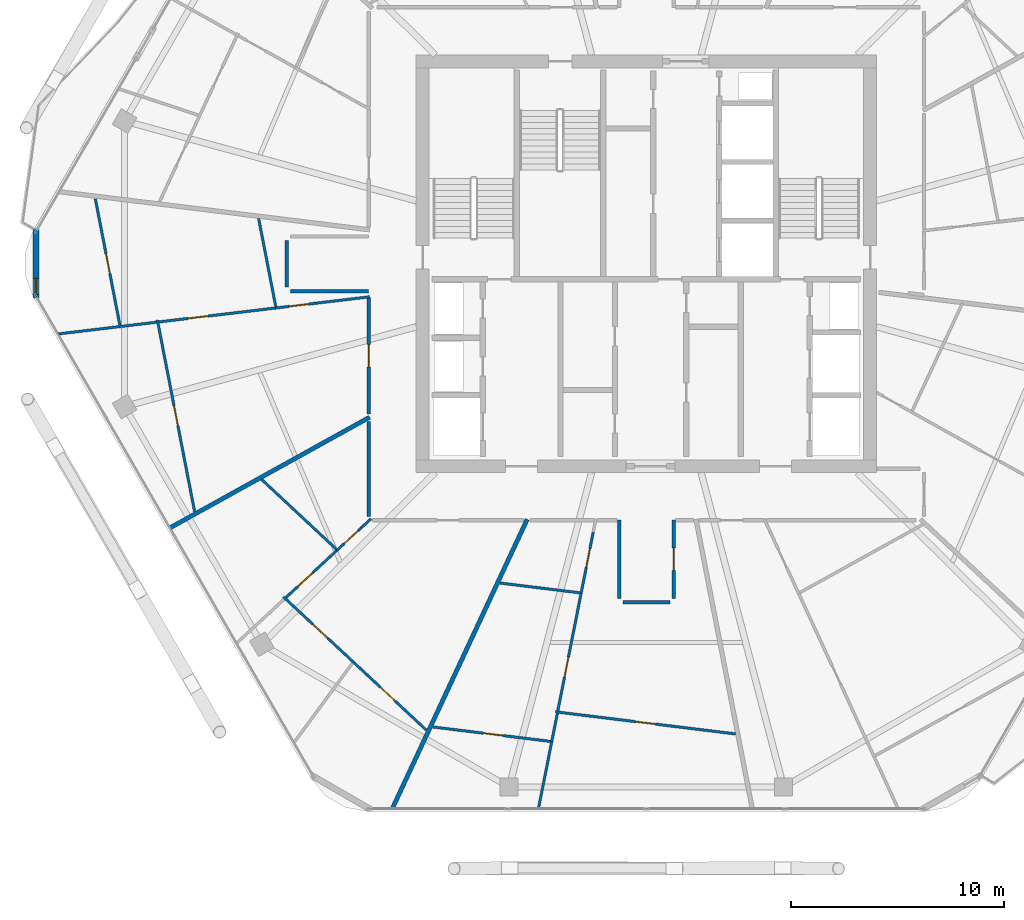
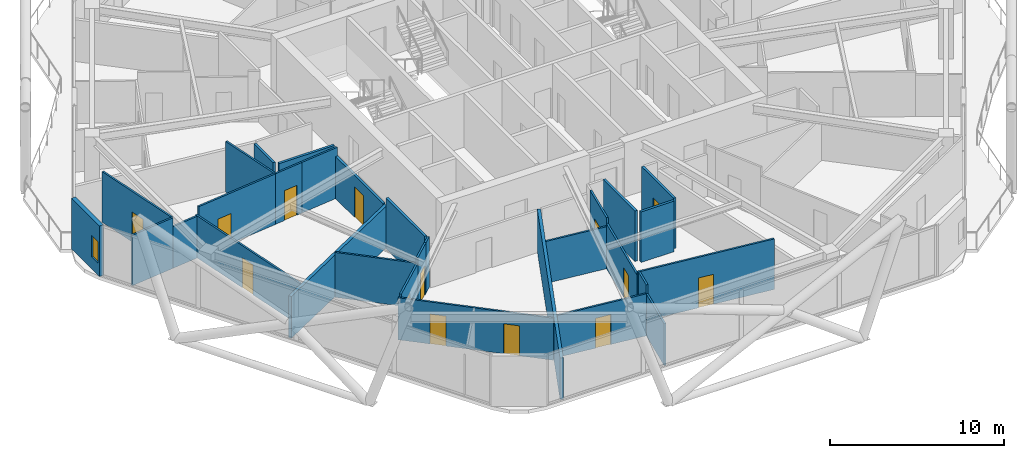
# One storey, part 20 of 29: 30 walls, 14 doors, 1 window, 15 openings.
"""IFC4 building model written with IfcOpenShell, lengths in metres."""

import ifcopenshell
import ifcopenshell.guid

model = None  # the IFC model being written
_history = None  # IfcOwnerHistory: only IFC2X3 demands one
_inside = {}  # id of a spatial element -> (the spatial element, [elements in it])
_under = {}  # id of a project, library or spatial element -> (it, [spatial elements below it])
_declared = {}  # id of a project -> (the project, [libraries it declares])
_typed = {}  # id of a type object -> (the type object, [elements of that type])
_made_of = {}  # id of a material, layer set ... -> (it, [elements and type objects made of it])


def new_model(schema):
    """Start an empty IFC model of exactly this schema.

    Asked for "IFC4X3", IfcOpenShell would pick the latest addendum, in which some entities
    have other attributes; the version numbers below select the first issue.
    IFC2X3 requires an IfcOwnerHistory on every rooted entity: one is made here for all.
    """
    global model, _history
    if schema == "IFC4X3":
        model = ifcopenshell.file(schema_version=(4, 3, 0, 0))
    else:
        model = ifcopenshell.file(schema=schema)
    _inside.clear()
    _under.clear()
    _declared.clear()
    _typed.clear()
    _made_of.clear()
    _history = None
    if model.schema == "IFC2X3":
        org = make("IfcOrganization", Name="unknown")
        user = make(
            "IfcPersonAndOrganization",
            ThePerson=make("IfcPerson", FamilyName="unknown"),
            TheOrganization=org,
        )
        app = make(
            "IfcApplication",
            ApplicationDeveloper=org,
            Version="unknown",
            ApplicationFullName="unknown",
            ApplicationIdentifier="unknown",
        )
        _history = make(
            "IfcOwnerHistory",
            OwningUser=user,
            OwningApplication=app,
            ChangeAction="ADDED",
            CreationDate=0,
        )
    return model


def make(cls, **values):
    """One entity of the class cls with the attributes given. An attribute that is None is left unset."""
    return model.create_entity(
        cls, **{name: value for name, value in values.items() if value is not None}
    )


def rooted(cls, **values):
    """An entity with a GlobalId (a new one), such as an element, a storey or a relation."""
    return make(cls, GlobalId=ifcopenshell.guid.new(), OwnerHistory=_history, **values)


def si_unit(unit_type, name, prefix=None):
    """IfcSIUnit, for example si_unit("LENGTHUNIT", "METRE", prefix="MILLI")."""
    return make("IfcSIUnit", UnitType=unit_type, Prefix=prefix, Name=name)


def assignment(units):
    """IfcUnitAssignment: the units of a project."""
    return None if units is None else make("IfcUnitAssignment", Units=units)


def point(xyz):
    """IfcCartesianPoint."""
    return None if xyz is None else make("IfcCartesianPoint", Coordinates=xyz)


def direction(xyz):
    """IfcDirection."""
    return None if xyz is None else make("IfcDirection", DirectionRatios=xyz)


def frame(location, z_axis=None, x_axis=None):
    """IfcAxis2Placement3D, a coordinate frame: its origin and axes. An axis left out is left unset."""
    return make(
        "IfcAxis2Placement3D",
        Location=point(location),
        Axis=direction(z_axis),
        RefDirection=direction(x_axis),
    )


def frame_2d(location, x_axis=None):
    """IfcAxis2Placement2D, a coordinate frame in the plane: its origin and x axis."""
    return make(
        "IfcAxis2Placement2D", Location=point(location), RefDirection=direction(x_axis)
    )


def origin():
    """The frame at (0, 0, 0) with its axes left unset."""
    return frame((0.0, 0.0, 0.0))


def place(relative_to, where):
    """IfcLocalPlacement: puts the frame where relative to a parent placement (None: the world)."""
    return make(
        "IfcLocalPlacement", PlacementRelTo=relative_to, RelativePlacement=where
    )


def context(
    kind, dimensions, precision=None, world=None, true_north=None, identifier=None
):
    """IfcGeometricRepresentationContext, for example the 3D "Model" context."""
    return make(
        "IfcGeometricRepresentationContext",
        ContextIdentifier=identifier,
        ContextType=kind,
        CoordinateSpaceDimension=dimensions,
        Precision=precision,
        WorldCoordinateSystem=world,
        TrueNorth=true_north,
    )


def subcontext(parent, identifier, kind, view, scale=None):
    """IfcGeometricRepresentationSubContext, for example "Body" below "Model"."""
    return make(
        "IfcGeometricRepresentationSubContext",
        ContextIdentifier=identifier,
        ContextType=kind,
        ParentContext=parent,
        TargetScale=scale,
        TargetView=view,
    )


def project(units=None, contexts=None):
    """IfcProject with its units and contexts."""
    return rooted(
        "IfcProject",
        Name="project",
        RepresentationContexts=contexts,
        UnitsInContext=assignment(units),
    )


def spatial(cls, under=None, at=None, **own):
    """A site, building, storey or space (cls), placed at a placement, below another one or the project."""
    s = rooted(cls, ObjectPlacement=at, **own)
    if under is not None:
        _under.setdefault(under.id(), (under, []))[1].append(s)
    return s


def profile(cls, at=None, kind="AREA", **sizes):
    """A parametric profile (cls). Its sizes go by their IFC names, for example OverallWidth=200.0."""
    return make(cls, ProfileType=kind, Position=at, **sizes)


def rectangle(**sizes):
    """IfcRectangleProfileDef."""
    return profile("IfcRectangleProfileDef", **sizes)


def extrude(swept, where, along, depth):
    """IfcExtrudedAreaSolid: the profile swept, set in the frame where, extruded along a direction by depth."""
    return make(
        "IfcExtrudedAreaSolid",
        SweptArea=swept,
        Position=where,
        ExtrudedDirection=direction(along),
        Depth=depth,
    )


def shape(context_of_items, identifier, shape_type, items):
    """IfcShapeRepresentation: the items that make up one representation, for example the "Body"."""
    return make(
        "IfcShapeRepresentation",
        ContextOfItems=context_of_items,
        RepresentationIdentifier=identifier,
        RepresentationType=shape_type,
        Items=items,
    )


def material(Name=None, Category=None):
    """IfcMaterial."""
    return make("IfcMaterial", Name=Name, Category=Category)


def layer(
    of_material, thickness, ventilated=None, Name=None, Category=None, Priority=None
):
    """IfcMaterialLayer: one layer of a wall or slab, of a material (None: an air gap)."""
    return make(
        "IfcMaterialLayer",
        Material=of_material,
        LayerThickness=thickness,
        IsVentilated=ventilated,
        Name=Name,
        Category=Category,
        Priority=Priority,
    )


def layer_set(layers, Name=None):
    """IfcMaterialLayerSet."""
    return make("IfcMaterialLayerSet", MaterialLayers=layers, LayerSetName=Name)


def made_of(thing, what):
    """Note that an element or type object is made of a material, layer set ...; save() writes the relation."""
    if what is not None:
        _made_of.setdefault(what.id(), (what, []))[1].append(thing)
    return thing


def type_object(cls, material=None, **own):
    """A type object (cls), such as IfcWallType, which elements share."""
    return made_of(rooted(cls, **own), material)


def element(
    cls,
    number,
    at=None,
    inside=None,
    cuts=None,
    type_object=None,
    material=None,
    context=None,
    identifier="Body",
    shape_type=None,
    held_by="IfcProductDefinitionShape",
    body=None,
    shapes=None,
    **own,
):
    """One element of the class cls, such as IfcWall. Its Tag is "e" and its number.

    at: its placement. inside: the storey or other place that contains it. cuts: it is an
    opening in that element (IfcRelVoidsElement). A single representation is given by context,
    identifier, shape_type and body (its items); several are given by shapes. held_by: the class
    of the entity that holds the representations. save() writes the other relations.
    """
    e = rooted(cls, Tag="e%d" % number, ObjectPlacement=at, **own)
    if body is not None:
        shapes = [shape(context, identifier, shape_type, body)]
    if shapes is not None:
        e.Representation = make(held_by, Representations=shapes)
    if inside is not None:
        _inside.setdefault(inside.id(), (inside, []))[1].append(e)
    if cuts is not None:
        rooted(
            "IfcRelVoidsElement", RelatingBuildingElement=cuts, RelatedOpeningElement=e
        )
    if type_object is not None:
        _typed.setdefault(type_object.id(), (type_object, []))[1].append(e)
    return made_of(e, material)


def fill(opening, filler):
    """IfcRelFillsElement: the door or window that sits in an opening."""
    return rooted(
        "IfcRelFillsElement",
        RelatingOpeningElement=opening,
        RelatedBuildingElement=filler,
    )


def aggregate(whole, parts):
    """IfcRelAggregates: a whole, such as a stair, and the parts it consists of."""
    return rooted("IfcRelAggregates", RelatingObject=whole, RelatedObjects=parts)


def save(model, path):
    """Write the relations noted so far, then the file.

    IfcRelAggregates (storeys below a building ...), IfcRelContainedInSpatialStructure (elements
    in a storey), IfcRelDefinesByType, IfcRelAssociatesMaterial and IfcRelDeclares: one each for
    every whole, place, type object, material and project.
    """
    for whole, parts in _under.values():
        aggregate(whole, parts)
    for where, things in _inside.values():
        rooted(
            "IfcRelContainedInSpatialStructure",
            RelatedElements=things,
            RelatingStructure=where,
        )
    for kind, things in _typed.values():
        rooted("IfcRelDefinesByType", RelatedObjects=things, RelatingType=kind)
    for what, things in _made_of.values():
        rooted("IfcRelAssociatesMaterial", RelatedObjects=things, RelatingMaterial=what)
    for by, libraries in _declared.values():
        rooted("IfcRelDeclares", RelatingContext=by, RelatedDefinitions=libraries)
    model.write(path)


model = new_model("IFC4")

# Units and contexts
model_context = context("Model", 3, precision=1e-05, world=origin(), true_north=direction((0.0, 1.0)))
body_context = subcontext(model_context, "Body", "Model", "MODEL_VIEW")
ifc_project = project(units=[si_unit("LENGTHUNIT", "METRE"), si_unit("AREAUNIT", "SQUARE_METRE"), si_unit("VOLUMEUNIT", "CUBIC_METRE"), si_unit("PLANEANGLEUNIT", "RADIAN"), si_unit("MASSUNIT", "GRAM", prefix="KILO")], contexts=[model_context])

# Site, building, storey
site_placement = place(None, origin())
site = spatial("IfcSite", under=ifc_project, at=site_placement, CompositionType="ELEMENT")
building_placement = place(site_placement, origin())
building = spatial("IfcBuilding", under=site, at=building_placement, Name="Zuhravey Tower", CompositionType="ELEMENT")
storey_placement = place(building_placement, frame((0.0, 0.0, 269.199951171875)))
storey = spatial("IfcBuildingStorey", under=building, at=storey_placement, Name="L68", CompositionType="ELEMENT", Elevation=269.199951171875)

# Wall, opening, door
ifc_material_1 = material(Name="Gypsum fire-rated stud partition")
ifc_layer_1 = layer(ifc_material_1, 0.159912109375)
ifc_layer_set_1 = layer_set([ifc_layer_1], Name="Gypsum fire-rated stud partition")
wall_type_1 = type_object("IfcWallType", Name="Corridor Fire Partition 160", PredefinedType="PARTITIONING", material=ifc_layer_set_1)
wall_1_placement = place(storey_placement, frame((22.969970703125, 30.426025390625, 0.0), z_axis=(0.0, 0.0, 1.0), x_axis=(0.0, -1.0, 0.0)))
wall_1 = element("IfcWall", 1, at=wall_1_placement, inside=storey, type_object=wall_type_1, Name="L68 IW16 Partition 031", PredefinedType="PARTITIONING", context=body_context, shape_type="SweptSolid", body=[
    extrude(rectangle(XDim=5.47802734375, YDim=0.159912109375, at=frame_2d((2.739013671875, 0.0))), origin(), (0.0, 0.0, 1.0), 2.949951171875),
])
opening_1_placement = place(wall_1_placement, frame((2.214111328125, 0.0, 0.0)))
opening_1 = element("IfcOpeningElement", 2, at=opening_1_placement, cuts=wall_1, Name="Opening APD1", PredefinedType="OPENING", context=body_context, shape_type="SweptSolid", body=[
    extrude(rectangle(XDim=1.050048828125, YDim=2.14990234375, at=frame_2d((0.52490234375, 1.074951171875))), frame((0.0, 0.092041015625, 0.0), z_axis=(0.0, -1.0, 0.0), x_axis=(1.0, 0.0, 0.0)), (0.0, 0.0, 1.0), 0.183837890625),
])
ifc_material_2 = material(Name="Solid-core oak fire-rated leaf")
door_type_1 = type_object("IfcDoorType", Name="Apartment Entrance Fire Door 1050x2150", OperationType="NOTDEFINED", PredefinedType="DOOR", material=ifc_material_2)
door_1_placement = place(opening_1_placement, frame((1.050048828125, 0.0, 0.0), z_axis=(0.0, 0.0, 1.0), x_axis=(-1.0, 0.0, 0.0)))
door_1 = element("IfcDoor", 3, at=door_1_placement, inside=storey, type_object=door_type_1, Name="L68 Door 031.1", OperationType="SINGLE_SWING_LEFT", OverallHeight=2.14990234375, OverallWidth=1.050048828125, PredefinedType="DOOR", context=body_context, shape_type="SweptSolid", body=[
    extrude(rectangle(XDim=1.050048828125, YDim=2.14990234375, at=frame_2d((0.52490234375, 1.074951171875))), frame((0.0, 0.02490234375, 0.0), z_axis=(0.0, -1.0, 0.0), x_axis=(1.0, 0.0, 0.0)), (0.0, 0.0, 1.0), 0.050048828125),
])
fill(opening_1, door_1)

wall_2_placement = place(storey_placement, frame((37.280029296875, 16.300048828125, 0.0), z_axis=(0.0, 0.0, 1.0), x_axis=(0.0, 1.0, 0.0)))
wall_2 = element("IfcWall", 4, at=wall_2_placement, inside=storey, type_object=wall_type_1, Name="L68 IW16 Partition 042", PredefinedType="PARTITIONING", context=body_context, shape_type="SweptSolid", body=[
    extrude(rectangle(XDim=3.669921875, YDim=0.159912109375, at=frame_2d((1.8349609375, 0.0))), origin(), (0.0, 0.0, 1.0), 3.550048828125),
])
opening_2_placement = place(wall_2_placement, frame((1.31005859375, 0.0, 0.0)))
opening_2 = element("IfcOpeningElement", 5, at=opening_2_placement, cuts=wall_2, Name="Opening APD1", PredefinedType="OPENING", context=body_context, shape_type="SweptSolid", body=[
    extrude(rectangle(XDim=1.050048828125, YDim=2.14990234375, at=frame_2d((0.52490234375, 1.074951171875))), frame((0.0, 0.092041015625, 0.0), z_axis=(0.0, -1.0, 0.0), x_axis=(1.0, 0.0, 0.0)), (0.0, 0.0, 1.0), 0.183837890625),
])
door_2_placement = place(opening_2_placement, origin())
door_2 = element("IfcDoor", 6, at=door_2_placement, inside=storey, type_object=door_type_1, Name="L68 Door 042.1", OperationType="SINGLE_SWING_LEFT", OverallHeight=2.14990234375, OverallWidth=1.050048828125, PredefinedType="DOOR", context=body_context, shape_type="SweptSolid", body=[
    extrude(rectangle(XDim=1.050048828125, YDim=2.14990234375, at=frame_2d((0.52490234375, 1.074951171875))), frame((0.0, 0.02490234375, 0.0), z_axis=(0.0, -1.0, 0.0), x_axis=(1.0, 0.0, 0.0)), (0.0, 0.0, 1.0), 0.050048828125),
])
fill(opening_2, door_2)

# Walls
wall_3_placement = place(storey_placement, frame((19.300048828125, 30.719970703125, 0.0), z_axis=(0.0, 0.0, 1.0), x_axis=(1.0, 0.0, 0.0)))
element("IfcWall", 7, at=wall_3_placement, inside=storey, type_object=wall_type_1, Name="L68 IW16 Partition 115", PredefinedType="PARTITIONING", context=body_context, shape_type="SweptSolid", body=[
    extrude(rectangle(XDim=3.669921875, YDim=0.159912109375, at=frame_2d((1.8349609375, 0.0))), origin(), (0.0, 0.0, 1.0), 3.550048828125),
])
wall_4_placement = place(storey_placement, frame((19.1201171875, 33.10009765625, 0.0), z_axis=(0.0, 0.0, 1.0), x_axis=(0.0, -1.0, 0.0)))
element("IfcWall", 8, at=wall_4_placement, inside=storey, type_object=wall_type_1, Name="L68 IW16 Partition 116", PredefinedType="PARTITIONING", context=body_context, shape_type="SweptSolid", body=[
    extrude(rectangle(XDim=2.2001953125, YDim=0.159912109375, at=frame_2d((1.10009765625, 0.0))), origin(), (0.0, 0.0, 1.0), 3.550048828125),
])
wall_5_placement = place(storey_placement, frame((22.969970703125, 24.60498046875, 0.0), z_axis=(0.0, 0.0, 1.0), x_axis=(0.0, -1.0, 0.0)))
element("IfcWall", 9, at=wall_5_placement, inside=storey, type_object=wall_type_1, Name="L68 IW16 Partition 117", PredefinedType="PARTITIONING", context=body_context, shape_type="SweptSolid", body=[
    extrude(rectangle(XDim=4.455078125, YDim=0.159912109375, at=frame_2d((2.2275390625, 0.0))), origin(), (0.0, 0.0, 1.0), 3.550048828125),
])
wall_6_placement = place(storey_placement, frame((34.719970703125, 19.969970703125, 0.0), z_axis=(0.0, 0.0, 1.0), x_axis=(0.0, -1.0, 0.0)))
element("IfcWall", 10, at=wall_6_placement, inside=storey, type_object=wall_type_1, Name="L68 IW16 Partition 118", PredefinedType="PARTITIONING", context=body_context, shape_type="SweptSolid", body=[
    extrude(rectangle(XDim=3.669921875, YDim=0.159912109375, at=frame_2d((1.8349609375, 0.0))), origin(), (0.0, 0.0, 1.0), 3.550048828125),
])
wall_7_placement = place(storey_placement, frame((34.89990234375, 16.1201171875, 0.0), z_axis=(0.0, 0.0, 1.0), x_axis=(1.0, 0.0, 0.0)))
element("IfcWall", 11, at=wall_7_placement, inside=storey, type_object=wall_type_1, Name="L68 IW16 Partition 119", PredefinedType="PARTITIONING", context=body_context, shape_type="SweptSolid", body=[
    extrude(rectangle(XDim=2.2001953125, YDim=0.159912109375, at=frame_2d((1.10009765625, 0.0))), origin(), (0.0, 0.0, 1.0), 3.550048828125),
])

# Wall, opening, window
ifc_material_3 = material(Name="Precast concrete C40/50", Category="concrete")
ifc_layer_2 = layer(ifc_material_3, 0.280029296875)
ifc_layer_set_2 = layer_set([ifc_layer_2], Name="Precast concrete C40/50")
wall_type_2 = type_object("IfcWallType", Name="Crown Architectural Wall 280", PredefinedType="SOLIDWALL", material=ifc_layer_set_2)
wall_8_placement = place(storey_placement, frame((7.35498046875, 30.392578125, 0.0), z_axis=(0.0, 0.0, 1.0), x_axis=(0.0, 1.0, 0.0)))
wall_8 = element("IfcWall", 12, at=wall_8_placement, inside=storey, type_object=wall_type_2, Name="L68 Rounded Corner Closure Wall EW28-06", PredefinedType="SOLIDWALL", context=body_context, shape_type="SweptSolid", body=[
    extrude(rectangle(XDim=3.21484375, YDim=0.280029296875, at=frame_2d((1.607421875, 0.0))), origin(), (0.0, 0.0, 1.0), 3.550048828125),
])
opening_3_placement = place(wall_8_placement, frame((0.17578125, 0.0, 0.85009765625)))
opening_3 = element("IfcOpeningElement", 13, at=opening_3_placement, cuts=wall_8, Name="Opening WN5", PredefinedType="OPENING", context=body_context, shape_type="SweptSolid", body=[
    extrude(rectangle(XDim=0.75, YDim=1.5, at=frame_2d((0.375, 0.75))), frame((0.0, 0.152099609375, 0.0), z_axis=(0.0, -1.0, 0.0), x_axis=(1.0, 0.0, 0.0)), (0.0, 0.0, 1.0), 0.303955078125),
])
ifc_material_4 = material(Name="Thermally broken aluminium and triple low-E glass", Category="aluminium")
window_type = type_object("IfcWindowType", Name="Residential Corner Casement Window 750x1500", PartitioningType="SINGLE_PANEL", PredefinedType="WINDOW", material=ifc_material_4)
window_placement = place(opening_3_placement, origin())
window = element("IfcWindow", 14, at=window_placement, inside=storey, type_object=window_type, Name="L68 Corner Casement Window WN5-06.1", OverallHeight=1.5, OverallWidth=0.75, PartitioningType="SINGLE_PANEL", PredefinedType="WINDOW", context=body_context, shape_type="SweptSolid", body=[
    extrude(rectangle(XDim=0.75, YDim=1.5, at=frame_2d((0.375, 0.75))), frame((0.0, 0.030029296875, 0.0), z_axis=(0.0, -1.0, 0.0), x_axis=(1.0, 0.0, 0.0)), (0.0, 0.0, 1.0), 0.06005859375),
])
fill(opening_3, window)

# Walls
ifc_material_5 = material(Name="Gypsum double-stud party assembly")
ifc_layer_3 = layer(ifc_material_5, 0.199951171875)
ifc_layer_set_3 = layer_set([ifc_layer_3], Name="Gypsum double-stud party assembly")
wall_type_3 = type_object("IfcWallType", Name="Inter-Tenancy Party Wall 200", PredefinedType="PARTITIONING", material=ifc_layer_set_3)
wall_9_placement = place(storey_placement, frame((23.010009765625, 24.799560546875, 0.0), z_axis=(0.0, 0.0, 1.0), x_axis=(-0.874612572959, -0.484822490426, 0.0)))
element("IfcWall", 15, at=wall_9_placement, inside=storey, type_object=wall_type_3, Name="L68 IW20 Partition 082", PredefinedType="PARTITIONING", context=body_context, shape_type="SweptSolid", body=[
    extrude(rectangle(XDim=10.71533203125, YDim=0.199951171875, at=frame_2d((5.357666015625, 0.0))), origin(), (0.0, 0.0, 1.0), 2.929931640625),
])
wall_10_placement = place(storey_placement, frame((30.408935546875, 20.010009765625, 0.0), z_axis=(0.0, 0.0, 1.0), x_axis=(-0.422607909104, -0.906312614479, 0.0)))
element("IfcWall", 16, at=wall_10_placement, inside=storey, type_object=wall_type_3, Name="L68 IW20 Partition 086", PredefinedType="PARTITIONING", context=body_context, shape_type="SweptSolid", body=[
    extrude(rectangle(XDim=14.976806640625, YDim=0.199951171875, at=frame_2d((7.48828125, 0.0))), origin(), (0.0, 0.0, 1.0), 2.929931640625),
])

# Wall, opening, door
ifc_material_6 = material(Name="Gypsum metal-stud partition")
ifc_layer_4 = layer(ifc_material_6, 0.1201171875)
ifc_layer_set_4 = layer_set([ifc_layer_4], Name="Gypsum metal-stud partition")
wall_type_4 = type_object("IfcWallType", Name="Unit Internal Partition 120", PredefinedType="PARTITIONING", material=ifc_layer_set_4)
wall_11_placement = place(storey_placement, frame((13.052734375, 29.364501953125, 0.0), z_axis=(0.0, 0.0, 1.0), x_axis=(0.190811857209, -0.981626627159, 0.0)))
wall_11 = element("IfcWall", 17, at=wall_11_placement, inside=storey, type_object=wall_type_4, Name="L68 IW12 Partition 026", PredefinedType="PARTITIONING", context=body_context, shape_type="SweptSolid", body=[
    extrude(rectangle(XDim=9.1572265625, YDim=0.1201171875, at=frame_2d((4.57861328125, 0.0))), origin(), (0.0, 0.0, 1.0), 2.949951171875),
])
opening_4_placement = place(wall_11_placement, frame((4.103515625, 0.0, 0.0)))
opening_4 = element("IfcOpeningElement", 18, at=opening_4_placement, cuts=wall_11, Name="Opening IND1", PredefinedType="OPENING", context=body_context, shape_type="SweptSolid", body=[
    extrude(rectangle(XDim=0.949951171875, YDim=2.10009765625, at=frame_2d((0.47509765625, 1.050048828125))), frame((0.0, 0.072021484375, 0.0), z_axis=(0.0, -1.0, 0.0), x_axis=(1.0, 0.0, 0.0)), (0.0, 0.0, 1.0), 0.14404296875),
])
ifc_material_7 = material(Name="Painted engineered timber leaf", Category="wood")
door_type_2 = type_object("IfcDoorType", Name="Internal Room & Bedroom Door 950x2100", OperationType="NOTDEFINED", PredefinedType="DOOR", material=ifc_material_7)
door_3_placement = place(opening_4_placement, frame((0.949951171875, 0.0, 0.0), z_axis=(0.0, 0.0, 1.0), x_axis=(-1.0, 0.0, 0.0)))
door_3 = element("IfcDoor", 19, at=door_3_placement, inside=storey, type_object=door_type_2, Name="Apartment L68-02 Family Study Door", OperationType="SINGLE_SWING_LEFT", OverallHeight=2.10009765625, OverallWidth=0.949951171875, PredefinedType="DOOR", context=body_context, shape_type="SweptSolid", body=[
    extrude(rectangle(XDim=0.949951171875, YDim=2.10009765625, at=frame_2d((0.47509765625, 1.050048828125))), frame((0.0, 0.02490234375, 0.0), z_axis=(0.0, -1.0, 0.0), x_axis=(1.0, 0.0, 0.0)), (0.0, 0.0, 1.0), 0.050048828125),
])
fill(opening_4, door_3)

wall_12_placement = place(storey_placement, frame((20.485595703125, 30.14990234375, 0.0), z_axis=(0.0, 0.0, 1.0), x_axis=(-0.992972480761, -0.118345479222, 0.0)))
wall_12 = element("IfcWall", 20, at=wall_12_placement, inside=storey, type_object=wall_type_4, Name="L68 IW12 Partition 027", PredefinedType="PARTITIONING", context=body_context, shape_type="SweptSolid", body=[
    extrude(rectangle(XDim=1.902099609375, YDim=0.1201171875, at=frame_2d((0.951171875, 0.0))), origin(), (0.0, 0.0, 1.0), 3.550048828125),
])
opening_5_placement = place(wall_12_placement, frame((0.348876953125, 0.0, 0.0)))
opening_5 = element("IfcOpeningElement", 21, at=opening_5_placement, cuts=wall_12, Name="Opening WCD1", PredefinedType="OPENING", context=body_context, shape_type="SweptSolid", body=[
    extrude(rectangle(XDim=0.89990234375, YDim=2.10009765625, at=frame_2d((0.449951171875, 1.050048828125))), frame((0.0, 0.072021484375, 0.0), z_axis=(0.0, -1.0, 0.0), x_axis=(1.0, 0.0, 0.0)), (0.0, 0.0, 1.0), 0.14404296875),
])
ifc_material_8 = material(Name="Moisture-resistant timber leaf", Category="wood")
door_type_3 = type_object("IfcDoorType", Name="Bathroom & WC Internal Door 900x2100", OperationType="NOTDEFINED", PredefinedType="DOOR", material=ifc_material_8)
door_4_placement = place(opening_5_placement, frame((0.89990234375, 0.0, 0.0), z_axis=(0.0, 0.0, 1.0), x_axis=(-1.0, 0.0, 0.0)))
door_4 = element("IfcDoor", 22, at=door_4_placement, inside=storey, type_object=door_type_3, Name="Apartment L68-02 Bathroom Door", OperationType="SINGLE_SWING_RIGHT", OverallHeight=2.10009765625, OverallWidth=0.89990234375, PredefinedType="DOOR", context=body_context, shape_type="SweptSolid", body=[
    extrude(rectangle(XDim=0.89990234375, YDim=2.10009765625, at=frame_2d((0.449951171875, 1.050048828125))), frame((0.0, 0.02490234375, 0.0), z_axis=(0.0, -1.0, 0.0), x_axis=(1.0, 0.0, 0.0)), (0.0, 0.0, 1.0), 0.050048828125),
])
fill(opening_5, door_4)

wall_13_placement = place(storey_placement, frame((18.596923828125, 29.9248046875, 0.0), z_axis=(0.0, 0.0, 1.0), x_axis=(-0.992967773956, -0.118384964774, 0.0)))
wall_13 = element("IfcWall", 23, at=wall_13_placement, inside=storey, type_object=wall_type_4, Name="L68 IW12 Partition 028", PredefinedType="PARTITIONING", context=body_context, shape_type="SweptSolid", body=[
    extrude(rectangle(XDim=5.495849609375, YDim=0.1201171875, at=frame_2d((2.748046875, 0.0))), origin(), (0.0, 0.0, 1.0), 3.550048828125),
])
opening_6_placement = place(wall_13_placement, frame((3.18310546875, 0.0, 0.0)))
opening_6 = element("IfcOpeningElement", 24, at=opening_6_placement, cuts=wall_13, Name="Opening IND1", PredefinedType="OPENING", context=body_context, shape_type="SweptSolid", body=[
    extrude(rectangle(XDim=0.949951171875, YDim=2.10009765625, at=frame_2d((0.47509765625, 1.050048828125))), frame((0.0, 0.072021484375, 0.0), z_axis=(0.0, -1.0, 0.0), x_axis=(1.0, 0.0, 0.0)), (0.0, 0.0, 1.0), 0.14404296875),
])
door_5_placement = place(opening_6_placement, frame((0.949951171875, 0.0, 0.0), z_axis=(0.0, 0.0, 1.0), x_axis=(-1.0, 0.0, 0.0)))
door_5 = element("IfcDoor", 25, at=door_5_placement, inside=storey, type_object=door_type_2, Name="Apartment L68-02 Home Office Door", OperationType="SINGLE_SWING_LEFT", OverallHeight=2.10009765625, OverallWidth=0.949951171875, PredefinedType="DOOR", context=body_context, shape_type="SweptSolid", body=[
    extrude(rectangle(XDim=0.949951171875, YDim=2.10009765625, at=frame_2d((0.47509765625, 1.050048828125))), frame((0.0, 0.02490234375, 0.0), z_axis=(0.0, -1.0, 0.0), x_axis=(1.0, 0.0, 0.0)), (0.0, 0.0, 1.0), 0.050048828125),
])
fill(opening_6, door_5)

# Wall
wall_14_placement = place(storey_placement, frame((13.004150390625, 29.2578125, 0.0), z_axis=(0.0, 0.0, 1.0), x_axis=(-0.992978430898, -0.118295544172, 0.0)))
element("IfcWall", 26, at=wall_14_placement, inside=storey, type_object=wall_type_4, Name="L68 IW12 Partition 029", PredefinedType="PARTITIONING", context=body_context, shape_type="SweptSolid", body=[
    extrude(rectangle(XDim=1.733642578125, YDim=0.1201171875, at=frame_2d((0.86669921875, 0.0))), origin(), (0.0, 0.0, 1.0), 2.929931640625),
])

# Wall, opening, door
wall_15_placement = place(storey_placement, frame((10.143310546875, 35.046630859375, 0.0), z_axis=(0.0, 0.0, 1.0), x_axis=(0.190784117101, -0.981632018967, 0.0)))
wall_15 = element("IfcWall", 27, at=wall_15_placement, inside=storey, type_object=wall_type_4, Name="L68 IW12 Partition 030", PredefinedType="PARTITIONING", context=body_context, shape_type="SweptSolid", body=[
    extrude(rectangle(XDim=6.034912109375, YDim=0.1201171875, at=frame_2d((3.017578125, 0.0))), origin(), (0.0, 0.0, 1.0), 3.550048828125),
])
opening_7_placement = place(wall_15_placement, frame((2.626708984375, 0.0, 0.0)))
opening_7 = element("IfcOpeningElement", 28, at=opening_7_placement, cuts=wall_15, Name="Opening IND1", PredefinedType="OPENING", context=body_context, shape_type="SweptSolid", body=[
    extrude(rectangle(XDim=0.949951171875, YDim=2.10009765625, at=frame_2d((0.47509765625, 1.050048828125))), frame((0.0, 0.072021484375, 0.0), z_axis=(0.0, -1.0, 0.0), x_axis=(1.0, 0.0, 0.0)), (0.0, 0.0, 1.0), 0.14404296875),
])
door_6_placement = place(opening_7_placement, frame((0.949951171875, 0.0, 0.0), z_axis=(0.0, 0.0, 1.0), x_axis=(-1.0, 0.0, 0.0)))
door_6 = element("IfcDoor", 29, at=door_6_placement, inside=storey, type_object=door_type_2, Name="Apartment L68-02 Bedroom 1 Door", OperationType="SINGLE_SWING_RIGHT", OverallHeight=2.10009765625, OverallWidth=0.949951171875, PredefinedType="DOOR", context=body_context, shape_type="SweptSolid", body=[
    extrude(rectangle(XDim=0.949951171875, YDim=2.10009765625, at=frame_2d((0.47509765625, 1.050048828125))), frame((0.0, 0.02490234375, 0.0), z_axis=(0.0, -1.0, 0.0), x_axis=(1.0, 0.0, 0.0)), (0.0, 0.0, 1.0), 0.050048828125),
])
fill(opening_7, door_6)

# Wall, openings, doors
wall_16_placement = place(storey_placement, frame((18.97216796875, 16.368408203125, 0.0), z_axis=(0.0, 0.0, 1.0), x_axis=(0.731359968951, -0.68199163911, 0.0)))
wall_16 = element("IfcWall", 30, at=wall_16_placement, inside=storey, type_object=wall_type_4, Name="L68 IW12 Partition 032", PredefinedType="PARTITIONING", context=body_context, shape_type="SweptSolid", body=[
    extrude(rectangle(XDim=9.16357421875, YDim=0.1201171875, at=frame_2d((4.581787109375, 0.0))), origin(), (0.0, 0.0, 1.0), 2.949951171875),
])
opening_8_placement = place(wall_16_placement, frame((1.885498046875, 0.0, 0.0)))
opening_8 = element("IfcOpeningElement", 31, at=opening_8_placement, cuts=wall_16, Name="Opening IND1", PredefinedType="OPENING", context=body_context, shape_type="SweptSolid", body=[
    extrude(rectangle(XDim=0.949951171875, YDim=2.10009765625, at=frame_2d((0.47509765625, 1.050048828125))), frame((0.0, 0.072021484375, 0.0), z_axis=(0.0, -1.0, 0.0), x_axis=(1.0, 0.0, 0.0)), (0.0, 0.0, 1.0), 0.14404296875),
])
opening_9_placement = place(wall_16_placement, frame((6.2265625, 0.0, 0.0)))
opening_9 = element("IfcOpeningElement", 32, at=opening_9_placement, cuts=wall_16, Name="Opening IND1", PredefinedType="OPENING", context=body_context, shape_type="SweptSolid", body=[
    extrude(rectangle(XDim=0.949951171875, YDim=2.10009765625, at=frame_2d((0.47509765625, 1.050048828125))), frame((0.0, 0.072021484375, 0.0), z_axis=(0.0, -1.0, 0.0), x_axis=(1.0, 0.0, 0.0)), (0.0, 0.0, 1.0), 0.14404296875),
])
door_7_placement = place(opening_8_placement, frame((0.949951171875, 0.0, 0.0), z_axis=(0.0, 0.0, 1.0), x_axis=(-1.0, 0.0, 0.0)))
door_7 = element("IfcDoor", 33, at=door_7_placement, inside=storey, type_object=door_type_2, Name="Apartment L68-03 Family Study Door", OperationType="SINGLE_SWING_RIGHT", OverallHeight=2.10009765625, OverallWidth=0.949951171875, PredefinedType="DOOR", context=body_context, shape_type="SweptSolid", body=[
    extrude(rectangle(XDim=0.949951171875, YDim=2.10009765625, at=frame_2d((0.47509765625, 1.050048828125))), frame((0.0, 0.02490234375, 0.0), z_axis=(0.0, -1.0, 0.0), x_axis=(1.0, 0.0, 0.0)), (0.0, 0.0, 1.0), 0.050048828125),
])
fill(opening_8, door_7)
door_8_placement = place(opening_9_placement, frame((0.949951171875, 0.0, 0.0), z_axis=(0.0, 0.0, 1.0), x_axis=(-1.0, 0.0, 0.0)))
door_8 = element("IfcDoor", 34, at=door_8_placement, inside=storey, type_object=door_type_2, Name="Apartment L68-03 Dining Room Door", OperationType="SINGLE_SWING_LEFT", OverallHeight=2.10009765625, OverallWidth=0.949951171875, PredefinedType="DOOR", context=body_context, shape_type="SweptSolid", body=[
    extrude(rectangle(XDim=0.949951171875, YDim=2.10009765625, at=frame_2d((0.47509765625, 1.050048828125))), frame((0.0, 0.02490234375, 0.0), z_axis=(0.0, -1.0, 0.0), x_axis=(1.0, 0.0, 0.0)), (0.0, 0.0, 1.0), 0.050048828125),
])
fill(opening_9, door_8)

# Wall, opening, door
wall_17_placement = place(storey_placement, frame((22.625, 19.61474609375, 0.0), z_axis=(0.0, 0.0, 1.0), x_axis=(-0.733731867306, -0.679439141424, 0.0)))
wall_17 = element("IfcWall", 35, at=wall_17_placement, inside=storey, type_object=wall_type_4, Name="L68 IW12 Partition 033", PredefinedType="PARTITIONING", context=body_context, shape_type="SweptSolid", body=[
    extrude(rectangle(XDim=1.56494140625, YDim=0.1201171875, at=frame_2d((0.782470703125, 0.0))), origin(), (0.0, 0.0, 1.0), 3.550048828125),
])
opening_10_placement = place(wall_17_placement, frame((0.207275390625, 0.0, 0.0)))
opening_10 = element("IfcOpeningElement", 36, at=opening_10_placement, cuts=wall_17, Name="Opening WCD1", PredefinedType="OPENING", context=body_context, shape_type="SweptSolid", body=[
    extrude(rectangle(XDim=0.89990234375, YDim=2.10009765625, at=frame_2d((0.449951171875, 1.050048828125))), frame((0.0, 0.072021484375, 0.0), z_axis=(0.0, -1.0, 0.0), x_axis=(1.0, 0.0, 0.0)), (0.0, 0.0, 1.0), 0.14404296875),
])
door_9_placement = place(opening_10_placement, frame((0.89990234375, 0.0, 0.0), z_axis=(0.0, 0.0, 1.0), x_axis=(-1.0, 0.0, 0.0)))
door_9 = element("IfcDoor", 37, at=door_9_placement, inside=storey, type_object=door_type_3, Name="Apartment L68-03 Bathroom Door", OperationType="SINGLE_SWING_RIGHT", OverallHeight=2.10009765625, OverallWidth=0.89990234375, PredefinedType="DOOR", context=body_context, shape_type="SweptSolid", body=[
    extrude(rectangle(XDim=0.89990234375, YDim=2.10009765625, at=frame_2d((0.449951171875, 1.050048828125))), frame((0.0, 0.02490234375, 0.0), z_axis=(0.0, -1.0, 0.0), x_axis=(1.0, 0.0, 0.0)), (0.0, 0.0, 1.0), 0.050048828125),
])
fill(opening_10, door_9)

wall_18_placement = place(storey_placement, frame((21.476806640625, 18.551513671875, 0.0), z_axis=(0.0, 0.0, 1.0), x_axis=(-0.733668997341, -0.679507028912, 0.0)))
wall_18 = element("IfcWall", 38, at=wall_18_placement, inside=storey, type_object=wall_type_4, Name="L68 IW12 Partition 034", PredefinedType="PARTITIONING", context=body_context, shape_type="SweptSolid", body=[
    extrude(rectangle(XDim=3.245361328125, YDim=0.1201171875, at=frame_2d((1.62255859375, 0.0))), origin(), (0.0, 0.0, 1.0), 3.150146484375),
])
opening_11_placement = place(wall_18_placement, frame((1.54736328125, 0.0, 0.0)))
opening_11 = element("IfcOpeningElement", 39, at=opening_11_placement, cuts=wall_18, Name="Opening IND1", PredefinedType="OPENING", context=body_context, shape_type="SweptSolid", body=[
    extrude(rectangle(XDim=0.949951171875, YDim=2.10009765625, at=frame_2d((0.47509765625, 1.050048828125))), frame((0.0, 0.072021484375, 0.0), z_axis=(0.0, -1.0, 0.0), x_axis=(1.0, 0.0, 0.0)), (0.0, 0.0, 1.0), 0.14404296875),
])
door_10_placement = place(opening_11_placement, frame((0.949951171875, 0.0, 0.0), z_axis=(0.0, 0.0, 1.0), x_axis=(-1.0, 0.0, 0.0)))
door_10 = element("IfcDoor", 40, at=door_10_placement, inside=storey, type_object=door_type_2, Name="Apartment L68-03 Bedroom 1 Door", OperationType="SINGLE_SWING_LEFT", OverallHeight=2.10009765625, OverallWidth=0.949951171875, PredefinedType="DOOR", context=body_context, shape_type="SweptSolid", body=[
    extrude(rectangle(XDim=0.949951171875, YDim=2.10009765625, at=frame_2d((0.47509765625, 1.050048828125))), frame((0.0, 0.02490234375, 0.0), z_axis=(0.0, -1.0, 0.0), x_axis=(1.0, 0.0, 0.0)), (0.0, 0.0, 1.0), 0.050048828125),
])
fill(opening_11, door_10)

wall_19_placement = place(storey_placement, frame((31.735107421875, 10.97607421875, 0.0), z_axis=(0.0, 0.0, 1.0), x_axis=(0.992544489296, -0.121882881359, 0.0)))
wall_19 = element("IfcWall", 41, at=wall_19_placement, inside=storey, type_object=wall_type_4, Name="L68 IW12 Partition 037", PredefinedType="PARTITIONING", context=body_context, shape_type="SweptSolid", body=[
    extrude(rectangle(XDim=8.51904296875, YDim=0.1201171875, at=frame_2d((4.259521484375, 0.0))), origin(), (0.0, 0.0, 1.0), 3.550048828125),
])
opening_12_placement = place(wall_19_placement, frame((3.784423828125, 0.0, 0.0)))
opening_12 = element("IfcOpeningElement", 42, at=opening_12_placement, cuts=wall_19, Name="Opening IND1", PredefinedType="OPENING", context=body_context, shape_type="SweptSolid", body=[
    extrude(rectangle(XDim=0.949951171875, YDim=2.10009765625, at=frame_2d((0.47509765625, 1.050048828125))), frame((0.0, 0.072021484375, 0.0), z_axis=(0.0, -1.0, 0.0), x_axis=(1.0, 0.0, 0.0)), (0.0, 0.0, 1.0), 0.14404296875),
])
door_11_placement = place(opening_12_placement, frame((0.949951171875, 0.0, 0.0), z_axis=(0.0, 0.0, 1.0), x_axis=(-1.0, 0.0, 0.0)))
door_11 = element("IfcDoor", 43, at=door_11_placement, inside=storey, type_object=door_type_2, Name="Apartment L68-04 Family Study Door", OperationType="SINGLE_SWING_LEFT", OverallHeight=2.10009765625, OverallWidth=0.949951171875, PredefinedType="DOOR", context=body_context, shape_type="SweptSolid", body=[
    extrude(rectangle(XDim=0.949951171875, YDim=2.10009765625, at=frame_2d((0.47509765625, 1.050048828125))), frame((0.0, 0.02490234375, 0.0), z_axis=(0.0, -1.0, 0.0), x_axis=(1.0, 0.0, 0.0)), (0.0, 0.0, 1.0), 0.050048828125),
])
fill(opening_12, door_11)

wall_20_placement = place(storey_placement, frame((33.505126953125, 19.39990234375, 0.0), z_axis=(0.0, 0.0, 1.0), x_axis=(-0.194223379767, -0.980957327692, 0.0)))
wall_20 = element("IfcWall", 44, at=wall_20_placement, inside=storey, type_object=wall_type_4, Name="L68 IW12 Partition 038", PredefinedType="PARTITIONING", context=body_context, shape_type="SweptSolid", body=[
    extrude(rectangle(XDim=2.927490234375, YDim=0.1201171875, at=frame_2d((1.4638671875, 0.0))), origin(), (0.0, 0.0, 1.0), 3.550048828125),
])
opening_13_placement = place(wall_20_placement, frame((0.77978515625, 0.0, 0.0)))
opening_13 = element("IfcOpeningElement", 45, at=opening_13_placement, cuts=wall_20, Name="Opening WCD1", PredefinedType="OPENING", context=body_context, shape_type="SweptSolid", body=[
    extrude(rectangle(XDim=0.89990234375, YDim=2.10009765625, at=frame_2d((0.449951171875, 1.050048828125))), frame((0.0, 0.072021484375, 0.0), z_axis=(0.0, -1.0, 0.0), x_axis=(1.0, 0.0, 0.0)), (0.0, 0.0, 1.0), 0.14404296875),
])
door_12_placement = place(opening_13_placement, frame((0.89990234375, 0.0, 0.0), z_axis=(0.0, 0.0, 1.0), x_axis=(-1.0, 0.0, 0.0)))
door_12 = element("IfcDoor", 46, at=door_12_placement, inside=storey, type_object=door_type_3, Name="Apartment L68-04 Bathroom Door", OperationType="SINGLE_SWING_RIGHT", OverallHeight=2.10009765625, OverallWidth=0.89990234375, PredefinedType="DOOR", context=body_context, shape_type="SweptSolid", body=[
    extrude(rectangle(XDim=0.89990234375, YDim=2.10009765625, at=frame_2d((0.449951171875, 1.050048828125))), frame((0.0, 0.02490234375, 0.0), z_axis=(0.0, -1.0, 0.0), x_axis=(1.0, 0.0, 0.0)), (0.0, 0.0, 1.0), 0.050048828125),
])
fill(opening_13, door_12)

wall_21_placement = place(storey_placement, frame((32.9365234375, 16.528076171875, 0.0), z_axis=(0.0, 0.0, 1.0), x_axis=(-0.194255896186, -0.980950889085, 0.0)))
wall_21 = element("IfcWall", 47, at=wall_21_placement, inside=storey, type_object=wall_type_4, Name="L68 IW12 Partition 039", PredefinedType="PARTITIONING", context=body_context, shape_type="SweptSolid", body=[
    extrude(rectangle(XDim=5.60400390625, YDim=0.1201171875, at=frame_2d((2.802001953125, 0.0))), origin(), (0.0, 0.0, 1.0), 3.150146484375),
])
opening_14_placement = place(wall_21_placement, frame((3.05419921875, 0.0, 0.0)))
opening_14 = element("IfcOpeningElement", 48, at=opening_14_placement, cuts=wall_21, Name="Opening IND1", PredefinedType="OPENING", context=body_context, shape_type="SweptSolid", body=[
    extrude(rectangle(XDim=0.949951171875, YDim=2.10009765625, at=frame_2d((0.47509765625, 1.050048828125))), frame((0.0, 0.072021484375, 0.0), z_axis=(0.0, -1.0, 0.0), x_axis=(1.0, 0.0, 0.0)), (0.0, 0.0, 1.0), 0.14404296875),
])
door_13_placement = place(opening_14_placement, frame((0.949951171875, 0.0, 0.0), z_axis=(0.0, 0.0, 1.0), x_axis=(-1.0, 0.0, 0.0)))
door_13 = element("IfcDoor", 49, at=door_13_placement, inside=storey, type_object=door_type_2, Name="Apartment L68-04 Home Office Door", OperationType="SINGLE_SWING_LEFT", OverallHeight=2.10009765625, OverallWidth=0.949951171875, PredefinedType="DOOR", context=body_context, shape_type="SweptSolid", body=[
    extrude(rectangle(XDim=0.949951171875, YDim=2.10009765625, at=frame_2d((0.47509765625, 1.050048828125))), frame((0.0, 0.02490234375, 0.0), z_axis=(0.0, -1.0, 0.0), x_axis=(1.0, 0.0, 0.0)), (0.0, 0.0, 1.0), 0.050048828125),
])
fill(opening_14, door_13)

# Wall
wall_22_placement = place(storey_placement, frame((31.821533203125, 10.89697265625, 0.0), z_axis=(0.0, 0.0, 1.0), x_axis=(-0.194227600247, -0.980956492054, 0.0)))
element("IfcWall", 50, at=wall_22_placement, inside=storey, type_object=wall_type_4, Name="L68 IW12 Partition 040", PredefinedType="PARTITIONING", context=body_context, shape_type="SweptSolid", body=[
    extrude(rectangle(XDim=1.36767578125, YDim=0.1201171875, at=frame_2d((0.683837890625, 0.0))), origin(), (0.0, 0.0, 1.0), 3.550048828125),
])

# Wall, opening, door
wall_23_placement = place(storey_placement, frame((25.984619140625, 10.2646484375, 0.0), z_axis=(0.0, 0.0, 1.0), x_axis=(0.992542241385, -0.121901185661, 0.0)))
wall_23 = element("IfcWall", 51, at=wall_23_placement, inside=storey, type_object=wall_type_4, Name="L68 IW12 Partition 041", PredefinedType="PARTITIONING", context=body_context, shape_type="SweptSolid", body=[
    extrude(rectangle(XDim=5.5498046875, YDim=0.1201171875, at=frame_2d((2.77490234375, 0.0))), origin(), (0.0, 0.0, 1.0), 2.949951171875),
])
opening_15_placement = place(wall_23_placement, frame((2.384033203125, 0.0, 0.0)))
opening_15 = element("IfcOpeningElement", 52, at=opening_15_placement, cuts=wall_23, Name="Opening IND1", PredefinedType="OPENING", context=body_context, shape_type="SweptSolid", body=[
    extrude(rectangle(XDim=0.949951171875, YDim=2.10009765625, at=frame_2d((0.47509765625, 1.050048828125))), frame((0.0, 0.072021484375, 0.0), z_axis=(0.0, -1.0, 0.0), x_axis=(1.0, 0.0, 0.0)), (0.0, 0.0, 1.0), 0.14404296875),
])
door_14_placement = place(opening_15_placement, frame((0.949951171875, 0.0, 0.0), z_axis=(0.0, 0.0, 1.0), x_axis=(-1.0, 0.0, 0.0)))
door_14 = element("IfcDoor", 53, at=door_14_placement, inside=storey, type_object=door_type_2, Name="Apartment L68-04 Bedroom 1 Door", OperationType="SINGLE_SWING_RIGHT", OverallHeight=2.10009765625, OverallWidth=0.949951171875, PredefinedType="DOOR", context=body_context, shape_type="SweptSolid", body=[
    extrude(rectangle(XDim=0.949951171875, YDim=2.10009765625, at=frame_2d((0.47509765625, 1.050048828125))), frame((0.0, 0.02490234375, 0.0), z_axis=(0.0, -1.0, 0.0), x_axis=(1.0, 0.0, 0.0)), (0.0, 0.0, 1.0), 0.050048828125),
])
fill(opening_15, door_14)

# Walls
wall_24_placement = place(storey_placement, frame((23.014892578125, 30.45166015625, 0.0), z_axis=(0.0, 0.0, 1.0), x_axis=(-0.992958240304, -0.118464902029, 0.0)))
element("IfcWall", 54, at=wall_24_placement, inside=storey, type_object=wall_type_4, Name="L68 IW12 Partition 079", PredefinedType="PARTITIONING", context=body_context, shape_type="SweptSolid", body=[
    extrude(rectangle(XDim=2.547119140625, YDim=0.1201171875, at=frame_2d((1.2734375, 0.0))), origin(), (0.0, 0.0, 1.0), 3.550048828125),
])
wall_25_placement = place(storey_placement, frame((11.28271484375, 29.052734375, 0.0), z_axis=(0.0, 0.0, 1.0), x_axis=(-0.992964231091, -0.118414677193, 0.0)))
element("IfcWall", 55, at=wall_25_placement, inside=storey, type_object=wall_type_4, Name="L68 IW12 Partition 080", PredefinedType="PARTITIONING", context=body_context, shape_type="SweptSolid", body=[
    extrude(rectangle(XDim=2.925537109375, YDim=0.1201171875, at=frame_2d((1.462890625, 0.0))), origin(), (0.0, 0.0, 1.0), 3.550048828125),
])
wall_26_placement = place(storey_placement, frame((17.805908203125, 34.125244140625, 0.0), z_axis=(0.0, 0.0, 1.0), x_axis=(0.190824624048, -0.981624145413, 0.0)))
element("IfcWall", 56, at=wall_26_placement, inside=storey, type_object=wall_type_4, Name="L68 IW12 Partition 081", PredefinedType="PARTITIONING", context=body_context, shape_type="SweptSolid", body=[
    extrude(rectangle(XDim=4.2080078125, YDim=0.1201171875, at=frame_2d((2.10400390625, 0.0))), origin(), (0.0, 0.0, 1.0), 3.550048828125),
])
wall_27_placement = place(storey_placement, frame((23.07861328125, 20.03466796875, 0.0), z_axis=(0.0, 0.0, 1.0), x_axis=(-0.733833594252, -0.679329269167, 0.0)))
element("IfcWall", 57, at=wall_27_placement, inside=storey, type_object=wall_type_4, Name="L68 IW12 Partition 084", PredefinedType="PARTITIONING", context=body_context, shape_type="SweptSolid", body=[
    extrude(rectangle(XDim=0.6181640625, YDim=0.1201171875, at=frame_2d((0.30908203125, 0.0))), origin(), (0.0, 0.0, 1.0), 3.550048828125),
])
wall_28_placement = place(storey_placement, frame((17.9521484375, 21.872314453125, 0.0), z_axis=(0.0, 0.0, 1.0), x_axis=(0.731364558904, -0.681986716864, 0.0)))
element("IfcWall", 58, at=wall_28_placement, inside=storey, type_object=wall_type_4, Name="L68 IW12 Partition 085", PredefinedType="PARTITIONING", context=body_context, shape_type="SweptSolid", body=[
    extrude(rectangle(XDim=4.776123046875, YDim=0.1201171875, at=frame_2d((2.38818359375, 0.0))), origin(), (0.0, 0.0, 1.0), 3.150146484375),
])
wall_29_placement = place(storey_placement, frame((31.555908203125, 9.555419921875, 0.0), z_axis=(0.0, 0.0, 1.0), x_axis=(-0.19425823532, -0.980950425868, 0.0)))
element("IfcWall", 59, at=wall_29_placement, inside=storey, type_object=wall_type_4, Name="L68 IW12 Partition 088", PredefinedType="PARTITIONING", context=body_context, shape_type="SweptSolid", body=[
    extrude(rectangle(XDim=3.1845703125, YDim=0.1201171875, at=frame_2d((1.59228515625, 0.0))), origin(), (0.0, 0.0, 1.0), 2.929931640625),
])
wall_30_placement = place(storey_placement, frame((29.1337890625, 17.02001953125, 0.0), z_axis=(0.0, 0.0, 1.0), x_axis=(0.992545655443, -0.121873384548, 0.0)))
element("IfcWall", 60, at=wall_30_placement, inside=storey, type_object=wall_type_4, Name="L68 IW12 Partition 089", PredefinedType="PARTITIONING", context=body_context, shape_type="SweptSolid", body=[
    extrude(rectangle(XDim=3.76806640625, YDim=0.1201171875, at=frame_2d((1.884033203125, 0.0))), origin(), (0.0, 0.0, 1.0), 2.949951171875),
])

save(model, "model.ifc")
